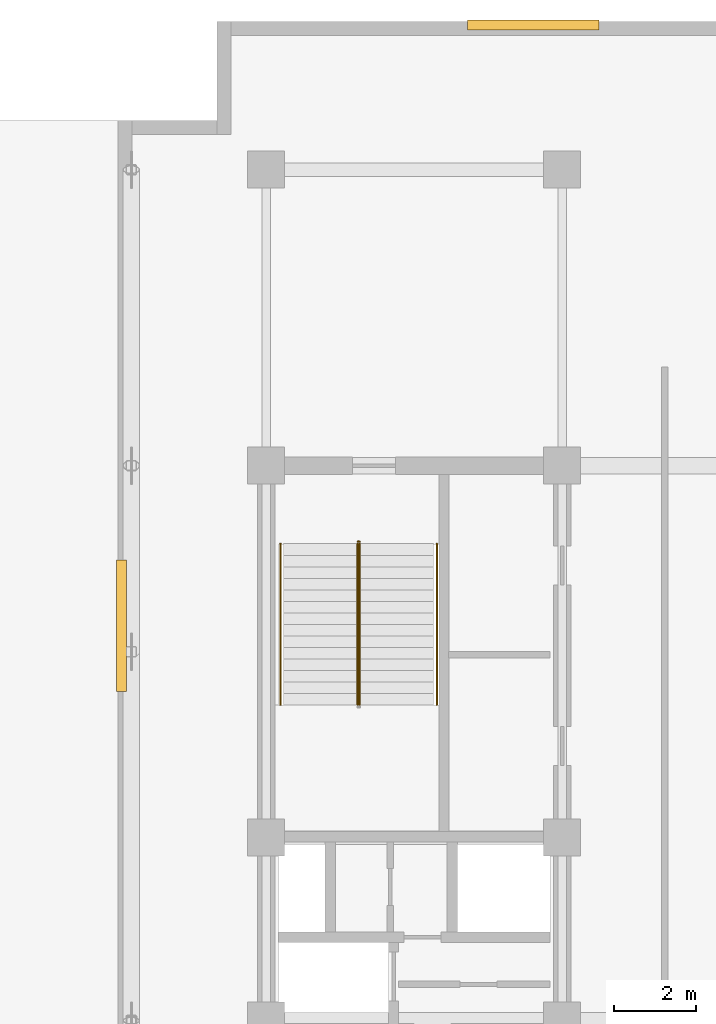
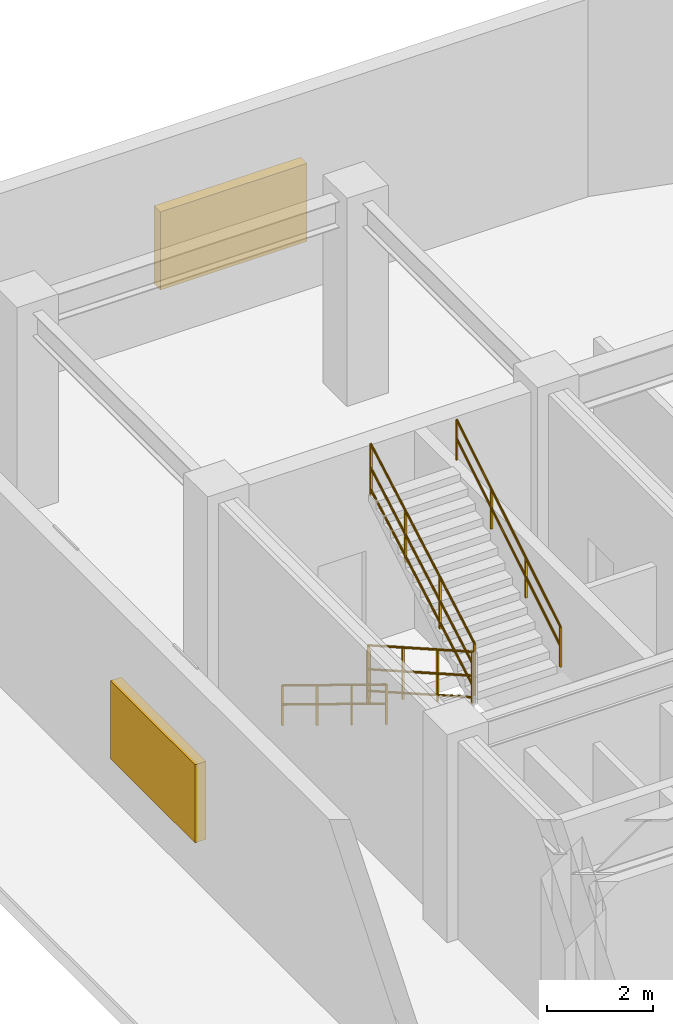
# One storey, part 13 of 13: 5 railings, 2 shading devices.
"""IFC4 building model written with IfcOpenShell, lengths in metres."""

import ifcopenshell
import ifcopenshell.guid

model = None  # the IFC model being written
_history = None  # IfcOwnerHistory: only IFC2X3 demands one
_inside = {}  # id of a spatial element -> (the spatial element, [elements in it])
_under = {}  # id of a project, library or spatial element -> (it, [spatial elements below it])
_declared = {}  # id of a project -> (the project, [libraries it declares])
_typed = {}  # id of a type object -> (the type object, [elements of that type])
_made_of = {}  # id of a material, layer set ... -> (it, [elements and type objects made of it])


def new_model(schema):
    """Start an empty IFC model of exactly this schema.

    Asked for "IFC4X3", IfcOpenShell would pick the latest addendum, in which some entities
    have other attributes; the version numbers below select the first issue.
    IFC2X3 requires an IfcOwnerHistory on every rooted entity: one is made here for all.
    """
    global model, _history
    if schema == "IFC4X3":
        model = ifcopenshell.file(schema_version=(4, 3, 0, 0))
    else:
        model = ifcopenshell.file(schema=schema)
    _inside.clear()
    _under.clear()
    _declared.clear()
    _typed.clear()
    _made_of.clear()
    _history = None
    if model.schema == "IFC2X3":
        org = make("IfcOrganization", Name="unknown")
        user = make(
            "IfcPersonAndOrganization",
            ThePerson=make("IfcPerson", FamilyName="unknown"),
            TheOrganization=org,
        )
        app = make(
            "IfcApplication",
            ApplicationDeveloper=org,
            Version="unknown",
            ApplicationFullName="unknown",
            ApplicationIdentifier="unknown",
        )
        _history = make(
            "IfcOwnerHistory",
            OwningUser=user,
            OwningApplication=app,
            ChangeAction="ADDED",
            CreationDate=0,
        )
    return model


def make(cls, **values):
    """One entity of the class cls with the attributes given. An attribute that is None is left unset."""
    return model.create_entity(
        cls, **{name: value for name, value in values.items() if value is not None}
    )


def entity(cls, *values):
    """Any entity or typed value of the class cls, its attributes in the order of the schema. None: left unset."""
    e = model.create_entity(cls)
    for i, value in enumerate(values):
        if value is not None:
            e[i] = value
    return e


def rooted(cls, **values):
    """An entity with a GlobalId (a new one), such as an element, a storey or a relation."""
    return make(cls, GlobalId=ifcopenshell.guid.new(), OwnerHistory=_history, **values)


def si_unit(unit_type, name, prefix=None):
    """IfcSIUnit, for example si_unit("LENGTHUNIT", "METRE", prefix="MILLI")."""
    return make("IfcSIUnit", UnitType=unit_type, Prefix=prefix, Name=name)


def converted_unit(unit_type, name, factor, base, dimensions=None, offset=None):
    """IfcConversionBasedUnit, such as the inch: factor (a typed value) times the base unit."""
    return make(
        "IfcConversionBasedUnit"
        if offset is None
        else "IfcConversionBasedUnitWithOffset",
        ConversionOffset=offset,
        Dimensions=None
        if dimensions is None
        else entity("IfcDimensionalExponents", *dimensions),
        UnitType=unit_type,
        Name=name,
        ConversionFactor=make(
            "IfcMeasureWithUnit", ValueComponent=factor, UnitComponent=base
        ),
    )


def assignment(units):
    """IfcUnitAssignment: the units of a project."""
    return None if units is None else make("IfcUnitAssignment", Units=units)


def point(xyz):
    """IfcCartesianPoint."""
    return None if xyz is None else make("IfcCartesianPoint", Coordinates=xyz)


def direction(xyz):
    """IfcDirection."""
    return None if xyz is None else make("IfcDirection", DirectionRatios=xyz)


def frame(location, z_axis=None, x_axis=None):
    """IfcAxis2Placement3D, a coordinate frame: its origin and axes. An axis left out is left unset."""
    return make(
        "IfcAxis2Placement3D",
        Location=point(location),
        Axis=direction(z_axis),
        RefDirection=direction(x_axis),
    )


def frame_2d(location, x_axis=None):
    """IfcAxis2Placement2D, a coordinate frame in the plane: its origin and x axis."""
    return make(
        "IfcAxis2Placement2D", Location=point(location), RefDirection=direction(x_axis)
    )


def origin_with_axes():
    """The frame at (0, 0, 0) with the z axis (0, 0, 1) and the x axis (1, 0, 0) written out."""
    return frame((0.0, 0.0, 0.0), z_axis=(0.0, 0.0, 1.0), x_axis=(1.0, 0.0, 0.0))


def origin_2d_with_axis():
    """The frame at (0, 0) in the plane with the x axis (1, 0) written out."""
    return frame_2d((0.0, 0.0), x_axis=(1.0, 0.0))


def place(relative_to, where):
    """IfcLocalPlacement: puts the frame where relative to a parent placement (None: the world)."""
    return make(
        "IfcLocalPlacement", PlacementRelTo=relative_to, RelativePlacement=where
    )


def context(
    kind, dimensions, precision=None, world=None, true_north=None, identifier=None
):
    """IfcGeometricRepresentationContext, for example the 3D "Model" context."""
    return make(
        "IfcGeometricRepresentationContext",
        ContextIdentifier=identifier,
        ContextType=kind,
        CoordinateSpaceDimension=dimensions,
        Precision=precision,
        WorldCoordinateSystem=world,
        TrueNorth=true_north,
    )


def subcontext(parent, identifier, kind, view, scale=None):
    """IfcGeometricRepresentationSubContext, for example "Body" below "Model"."""
    return make(
        "IfcGeometricRepresentationSubContext",
        ContextIdentifier=identifier,
        ContextType=kind,
        ParentContext=parent,
        TargetScale=scale,
        TargetView=view,
    )


def project(units=None, contexts=None):
    """IfcProject with its units and contexts."""
    return rooted(
        "IfcProject",
        Name="project",
        RepresentationContexts=contexts,
        UnitsInContext=assignment(units),
    )


def spatial(cls, under=None, at=None, **own):
    """A site, building, storey or space (cls), placed at a placement, below another one or the project."""
    s = rooted(cls, ObjectPlacement=at, **own)
    if under is not None:
        _under.setdefault(under.id(), (under, []))[1].append(s)
    return s


def profile(cls, at=None, kind="AREA", **sizes):
    """A parametric profile (cls). Its sizes go by their IFC names, for example OverallWidth=200.0."""
    return make(cls, ProfileType=kind, Position=at, **sizes)


def rectangle(**sizes):
    """IfcRectangleProfileDef."""
    return profile("IfcRectangleProfileDef", **sizes)


def circle(**sizes):
    """IfcCircleProfileDef."""
    return profile("IfcCircleProfileDef", **sizes)


def extrude(swept, where, along, depth):
    """IfcExtrudedAreaSolid: the profile swept, set in the frame where, extruded along a direction by depth."""
    return make(
        "IfcExtrudedAreaSolid",
        SweptArea=swept,
        Position=where,
        ExtrudedDirection=direction(along),
        Depth=depth,
    )


def shape(context_of_items, identifier, shape_type, items):
    """IfcShapeRepresentation: the items that make up one representation, for example the "Body"."""
    return make(
        "IfcShapeRepresentation",
        ContextOfItems=context_of_items,
        RepresentationIdentifier=identifier,
        RepresentationType=shape_type,
        Items=items,
    )


def material(Name=None, Category=None):
    """IfcMaterial."""
    return make("IfcMaterial", Name=Name, Category=Category)


def made_of(thing, what):
    """Note that an element or type object is made of a material, layer set ...; save() writes the relation."""
    if what is not None:
        _made_of.setdefault(what.id(), (what, []))[1].append(thing)
    return thing


def type_object(cls, material=None, **own):
    """A type object (cls), such as IfcWallType, which elements share."""
    return made_of(rooted(cls, **own), material)


def element(
    cls,
    number,
    at=None,
    inside=None,
    cuts=None,
    type_object=None,
    material=None,
    context=None,
    identifier="Body",
    shape_type=None,
    held_by="IfcProductDefinitionShape",
    body=None,
    shapes=None,
    **own,
):
    """One element of the class cls, such as IfcWall. Its Tag is "e" and its number.

    at: its placement. inside: the storey or other place that contains it. cuts: it is an
    opening in that element (IfcRelVoidsElement). A single representation is given by context,
    identifier, shape_type and body (its items); several are given by shapes. held_by: the class
    of the entity that holds the representations. save() writes the other relations.
    """
    e = rooted(cls, Tag="e%d" % number, ObjectPlacement=at, **own)
    if body is not None:
        shapes = [shape(context, identifier, shape_type, body)]
    if shapes is not None:
        e.Representation = make(held_by, Representations=shapes)
    if inside is not None:
        _inside.setdefault(inside.id(), (inside, []))[1].append(e)
    if cuts is not None:
        rooted(
            "IfcRelVoidsElement", RelatingBuildingElement=cuts, RelatedOpeningElement=e
        )
    if type_object is not None:
        _typed.setdefault(type_object.id(), (type_object, []))[1].append(e)
    return made_of(e, material)


def aggregate(whole, parts):
    """IfcRelAggregates: a whole, such as a stair, and the parts it consists of."""
    return rooted("IfcRelAggregates", RelatingObject=whole, RelatedObjects=parts)


def save(model, path):
    """Write the relations noted so far, then the file.

    IfcRelAggregates (storeys below a building ...), IfcRelContainedInSpatialStructure (elements
    in a storey), IfcRelDefinesByType, IfcRelAssociatesMaterial and IfcRelDeclares: one each for
    every whole, place, type object, material and project.
    """
    for whole, parts in _under.values():
        aggregate(whole, parts)
    for where, things in _inside.values():
        rooted(
            "IfcRelContainedInSpatialStructure",
            RelatedElements=things,
            RelatingStructure=where,
        )
    for kind, things in _typed.values():
        rooted("IfcRelDefinesByType", RelatedObjects=things, RelatingType=kind)
    for what, things in _made_of.values():
        rooted("IfcRelAssociatesMaterial", RelatedObjects=things, RelatingMaterial=what)
    for by, libraries in _declared.values():
        rooted("IfcRelDeclares", RelatingContext=by, RelatedDefinitions=libraries)
    model.write(path)


model = new_model("IFC4")

# Units and contexts
model_context = context("Model", 3, precision=1e-05, world=origin_with_axes(), true_north=direction((0.0, 1.0)))
body_context = subcontext(model_context, "Body", "Model", "MODEL_VIEW")
ifc_project = project(units=[si_unit("LENGTHUNIT", "METRE"), si_unit("AREAUNIT", "SQUARE_METRE"), si_unit("VOLUMEUNIT", "CUBIC_METRE"), converted_unit("PLANEANGLEUNIT", "DEGREE", entity("IfcPlaneAngleMeasure", 0.017453292519943295), si_unit("PLANEANGLEUNIT", "RADIAN"), dimensions=[0, 0, 0, 0, 0, 0, 0]), si_unit("MASSUNIT", "GRAM", prefix="KILO"), si_unit("THERMODYNAMICTEMPERATUREUNIT", "KELVIN")], contexts=[model_context])

# Site, building, storey
site_placement = place(None, origin_with_axes())
site = spatial("IfcSite", under=ifc_project, at=site_placement, CompositionType="ELEMENT")
building_placement = place(site_placement, origin_with_axes())
building = spatial("IfcBuilding", under=site, at=building_placement, Name="Varnlund Millrace Tower", CompositionType="ELEMENT")
storey_placement = place(building_placement, frame((0.0, 0.0, 248.1), z_axis=(0.0, 0.0, 1.0), x_axis=(1.0, 0.0, 0.0)))
storey = spatial("IfcBuildingStorey", under=building, at=storey_placement, Name="L61", CompositionType="ELEMENT", Elevation=248.1)

# Shading devices
ifc_material_1 = material(Name="Architectural bronze cold-climate intake louvre", Category="aluminium")
shading_device_type = type_object("IfcShadingDeviceType", Name="Type-Shade-CrownLouvre-JAL", PredefinedType="JALOUSIE", material=ifc_material_1)
for number, where, z_axis, x_axis, name in (
    (1, (17.9, 48.52, 1.0), (0.0, 0.0, 1.0), (1.0, 0.0, 0.0), "Type-Shade-CrownLouvre-JAL"),
    (2, (7.88, 33.9, 1.0), (0.0, 0.0, 1.0), (0.0, 1.0, 0.0), "Type-Shade-CrownLouvre-JAL"),
):
    element("IfcShadingDevice", number, at=place(storey_placement, frame(where, z_axis=z_axis, x_axis=x_axis)), inside=storey, type_object=shading_device_type, Name=name, PredefinedType="JALOUSIE", context=body_context, shape_type="SweptSolid", body=[
        extrude(rectangle(XDim=3.2, YDim=0.24, at=origin_2d_with_axis()), origin_with_axes(), (0.0, 0.0, 1.0), 1.8),
    ])

# Railings
ifc_material_2 = material(Name="Painted steel stair well balustrade guard", Category="steel")
railing_type_1 = type_object("IfcRailingType", Name="Type-StairGuard-1150", PredefinedType="GUARDRAIL", material=ifc_material_2)
railing_1_placement = place(storey_placement, frame((0.0, 0.0, -248.1), z_axis=(0.0, 0.0, 1.0), x_axis=(1.0, 0.0, 0.0)))
element("IfcRailing", 3, at=railing_1_placement, inside=storey, type_object=railing_type_1, Name="Type-StairGuard-1150", PredefinedType="GUARDRAIL", context=body_context, shape_type="SweptSolid", body=[
    extrude(circle(Radius=0.024, at=origin_2d_with_axis()), frame((13.625, 35.9, 249.421429), z_axis=(0.0, -0.869333, 0.494227), x_axis=(1.0, 0.0, 0.0)), (0.0, 0.0, 1.0), 4.509205),
    extrude(circle(Radius=0.024, at=origin_2d_with_axis()), frame((13.625, 35.9, 248.371429), z_axis=(0.0, -0.869333, 0.494227), x_axis=(1.0, 0.0, 0.0)), (0.0, 0.0, 1.0), 4.509205),
    extrude(circle(Radius=0.024, at=origin_2d_with_axis()), frame((13.625, 35.9, 248.869429), z_axis=(0.0, -0.869333, 0.494227), x_axis=(1.0, 0.0, 0.0)), (0.0, 0.0, 1.0), 4.509205),
    extrude(rectangle(XDim=0.04, YDim=0.04, at=origin_2d_with_axis()), frame((13.625, 35.9, 248.231429), z_axis=(0.0, 0.0, 1.0), x_axis=(1.0, 0.0, 0.0)), (0.0, 0.0, 1.0), 1.19),
    extrude(rectangle(XDim=0.04, YDim=0.04, at=origin_2d_with_axis()), frame((13.625, 34.593333, 248.974286), z_axis=(0.0, 0.0, 1.0), x_axis=(1.0, 0.0, 0.0)), (0.0, 0.0, 1.0), 1.19),
    extrude(rectangle(XDim=0.04, YDim=0.04, at=origin_2d_with_axis()), frame((13.625, 33.286667, 249.717143), z_axis=(0.0, 0.0, 1.0), x_axis=(1.0, 0.0, 0.0)), (0.0, 0.0, 1.0), 1.19),
    extrude(rectangle(XDim=0.04, YDim=0.04, at=origin_2d_with_axis()), frame((13.625, 31.98, 250.46), z_axis=(0.0, 0.0, 1.0), x_axis=(1.0, 0.0, 0.0)), (0.0, 0.0, 1.0), 1.19),
])
railing_2_placement = place(storey_placement, frame((0.0, 0.0, -248.1), z_axis=(0.0, 0.0, 1.0), x_axis=(1.0, 0.0, 0.0)))
element("IfcRailing", 4, at=railing_2_placement, inside=storey, type_object=railing_type_1, Name="Type-StairGuard-1150", PredefinedType="GUARDRAIL", context=body_context, shape_type="SweptSolid", body=[
    extrude(circle(Radius=0.024, at=origin_2d_with_axis()), frame((13.675, 31.98, 251.821429), z_axis=(0.0, 0.869333, 0.494227), x_axis=(-1.0, 0.0, 0.0)), (0.0, 0.0, 1.0), 4.509205),
    extrude(circle(Radius=0.024, at=origin_2d_with_axis()), frame((13.675, 31.98, 250.771429), z_axis=(0.0, 0.869333, 0.494227), x_axis=(-1.0, 0.0, 0.0)), (0.0, 0.0, 1.0), 4.509205),
    extrude(circle(Radius=0.024, at=origin_2d_with_axis()), frame((13.675, 31.98, 251.269429), z_axis=(0.0, 0.869333, 0.494227), x_axis=(-1.0, 0.0, 0.0)), (0.0, 0.0, 1.0), 4.509205),
    extrude(rectangle(XDim=0.04, YDim=0.04, at=origin_2d_with_axis()), frame((13.675, 31.98, 250.631429), z_axis=(0.0, 0.0, 1.0), x_axis=(1.0, 0.0, 0.0)), (0.0, 0.0, 1.0), 1.19),
    extrude(rectangle(XDim=0.04, YDim=0.04, at=origin_2d_with_axis()), frame((13.675, 33.286667, 251.374286), z_axis=(0.0, 0.0, 1.0), x_axis=(1.0, 0.0, 0.0)), (0.0, 0.0, 1.0), 1.19),
    extrude(rectangle(XDim=0.04, YDim=0.04, at=origin_2d_with_axis()), frame((13.675, 34.593333, 252.117143), z_axis=(0.0, 0.0, 1.0), x_axis=(1.0, 0.0, 0.0)), (0.0, 0.0, 1.0), 1.19),
    extrude(rectangle(XDim=0.04, YDim=0.04, at=origin_2d_with_axis()), frame((13.675, 35.9, 252.86), z_axis=(0.0, 0.0, 1.0), x_axis=(1.0, 0.0, 0.0)), (0.0, 0.0, 1.0), 1.19),
])
railing_3_placement = place(storey_placement, frame((0.0, 0.0, -248.1), z_axis=(0.0, 0.0, 1.0), x_axis=(1.0, 0.0, 0.0)))
element("IfcRailing", 5, at=railing_3_placement, inside=storey, type_object=railing_type_1, Name="Type-StairGuard-1150", PredefinedType="GUARDRAIL", context=body_context, shape_type="SweptSolid", body=[
    extrude(circle(Radius=0.024, at=origin_2d_with_axis()), frame((13.675, 35.95, 249.25), z_axis=(-1.0, 0.0, 0.0), x_axis=(0.0, -1.0, 0.0)), (0.0, 0.0, 1.0), 0.05),
    extrude(circle(Radius=0.024, at=origin_2d_with_axis()), frame((13.675, 35.95, 248.2), z_axis=(-1.0, 0.0, 0.0), x_axis=(0.0, -1.0, 0.0)), (0.0, 0.0, 1.0), 0.05),
    extrude(circle(Radius=0.024, at=origin_2d_with_axis()), frame((13.675, 35.95, 248.698), z_axis=(-1.0, 0.0, 0.0), x_axis=(0.0, -1.0, 0.0)), (0.0, 0.0, 1.0), 0.05),
    extrude(rectangle(XDim=0.04, YDim=0.04, at=origin_2d_with_axis()), frame((13.675, 35.95, 248.06), z_axis=(0.0, 0.0, 1.0), x_axis=(1.0, 0.0, 0.0)), (0.0, 0.0, 1.0), 1.19),
    extrude(rectangle(XDim=0.04, YDim=0.04, at=origin_2d_with_axis()), frame((13.625, 35.95, 248.06), z_axis=(0.0, 0.0, 1.0), x_axis=(1.0, 0.0, 0.0)), (0.0, 0.0, 1.0), 1.19),
])
ifc_material_3 = material(Name="Brushed architectural bronze stair handrail", Category="aluminium")
railing_type_2 = type_object("IfcRailingType", Name="Type-StairHandrail-900", PredefinedType="HANDRAIL", material=ifc_material_3)
railing_4_placement = place(storey_placement, frame((0.0, 0.0, -248.1), z_axis=(0.0, 0.0, 1.0), x_axis=(1.0, 0.0, 0.0)))
element("IfcRailing", 6, at=railing_4_placement, inside=storey, type_object=railing_type_2, Name="Type-StairHandrail-900", PredefinedType="HANDRAIL", context=body_context, shape_type="SweptSolid", body=[
    extrude(circle(Radius=0.024, at=origin_2d_with_axis()), frame((11.75, 35.9, 249.150961), z_axis=(0.0, -0.852851, 0.522154), x_axis=(1.0, 0.0, 0.0)), (0.0, 0.0, 1.0), 4.596346),
    extrude(circle(Radius=0.024, at=origin_2d_with_axis()), frame((11.75, 35.9, 248.711195), z_axis=(0.0, -0.852851, 0.522154), x_axis=(1.0, 0.0, 0.0)), (0.0, 0.0, 1.0), 4.596346),
    extrude(rectangle(XDim=0.04, YDim=0.04, at=origin_2d_with_axis()), frame((11.75, 35.9, 248.231429), z_axis=(0.0, 0.0, 1.0), x_axis=(1.0, 0.0, 0.0)), (0.0, 0.0, 1.0), 0.919532),
    extrude(rectangle(XDim=0.04, YDim=0.04, at=origin_2d_with_axis()), frame((11.75, 34.593333, 249.031429), z_axis=(0.0, 0.0, 1.0), x_axis=(1.0, 0.0, 0.0)), (0.0, 0.0, 1.0), 0.919532),
    extrude(rectangle(XDim=0.04, YDim=0.04, at=origin_2d_with_axis()), frame((11.75, 33.286667, 249.831429), z_axis=(0.0, 0.0, 1.0), x_axis=(1.0, 0.0, 0.0)), (0.0, 0.0, 1.0), 0.919532),
    extrude(rectangle(XDim=0.04, YDim=0.04, at=origin_2d_with_axis()), frame((11.75, 31.98, 250.631429), z_axis=(0.0, 0.0, 1.0), x_axis=(1.0, 0.0, 0.0)), (0.0, 0.0, 1.0), 0.919532),
])
railing_5_placement = place(storey_placement, frame((0.0, 0.0, -248.1), z_axis=(0.0, 0.0, 1.0), x_axis=(1.0, 0.0, 0.0)))
element("IfcRailing", 7, at=railing_5_placement, inside=storey, type_object=railing_type_2, Name="Type-StairHandrail-900", PredefinedType="HANDRAIL", context=body_context, shape_type="SweptSolid", body=[
    extrude(circle(Radius=0.024, at=origin_2d_with_axis()), frame((15.55, 31.98, 251.550961), z_axis=(0.0, 0.852851, 0.522154), x_axis=(-1.0, 0.0, 0.0)), (0.0, 0.0, 1.0), 4.596346),
    extrude(circle(Radius=0.024, at=origin_2d_with_axis()), frame((15.55, 31.98, 251.111195), z_axis=(0.0, 0.852851, 0.522154), x_axis=(-1.0, 0.0, 0.0)), (0.0, 0.0, 1.0), 4.596346),
    extrude(rectangle(XDim=0.04, YDim=0.04, at=origin_2d_with_axis()), frame((15.55, 31.98, 250.631429), z_axis=(0.0, 0.0, 1.0), x_axis=(1.0, 0.0, 0.0)), (0.0, 0.0, 1.0), 0.919532),
    extrude(rectangle(XDim=0.04, YDim=0.04, at=origin_2d_with_axis()), frame((15.55, 33.286667, 251.431429), z_axis=(0.0, 0.0, 1.0), x_axis=(1.0, 0.0, 0.0)), (0.0, 0.0, 1.0), 0.919532),
    extrude(rectangle(XDim=0.04, YDim=0.04, at=origin_2d_with_axis()), frame((15.55, 34.593333, 252.231429), z_axis=(0.0, 0.0, 1.0), x_axis=(1.0, 0.0, 0.0)), (0.0, 0.0, 1.0), 0.919532),
    extrude(rectangle(XDim=0.04, YDim=0.04, at=origin_2d_with_axis()), frame((15.55, 35.9, 253.031429), z_axis=(0.0, 0.0, 1.0), x_axis=(1.0, 0.0, 0.0)), (0.0, 0.0, 1.0), 0.919532),
])

save(model, "model.ifc")
